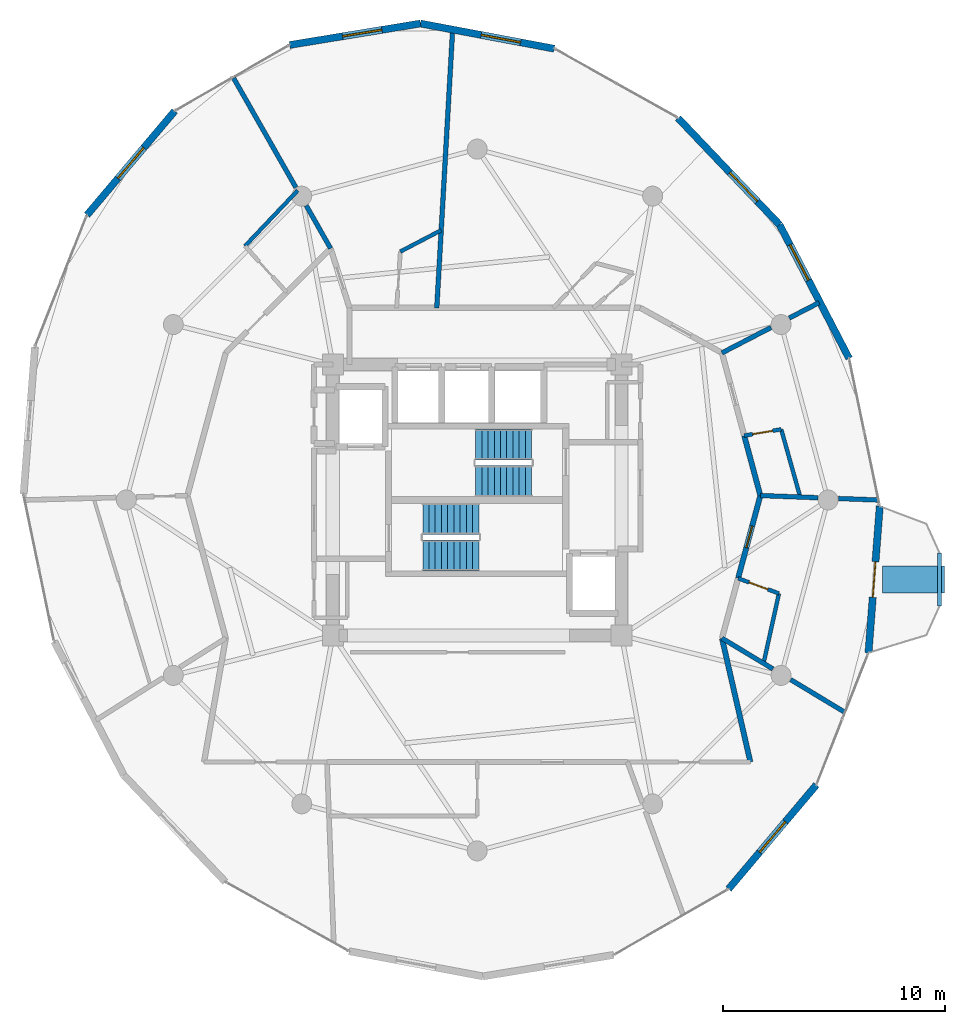
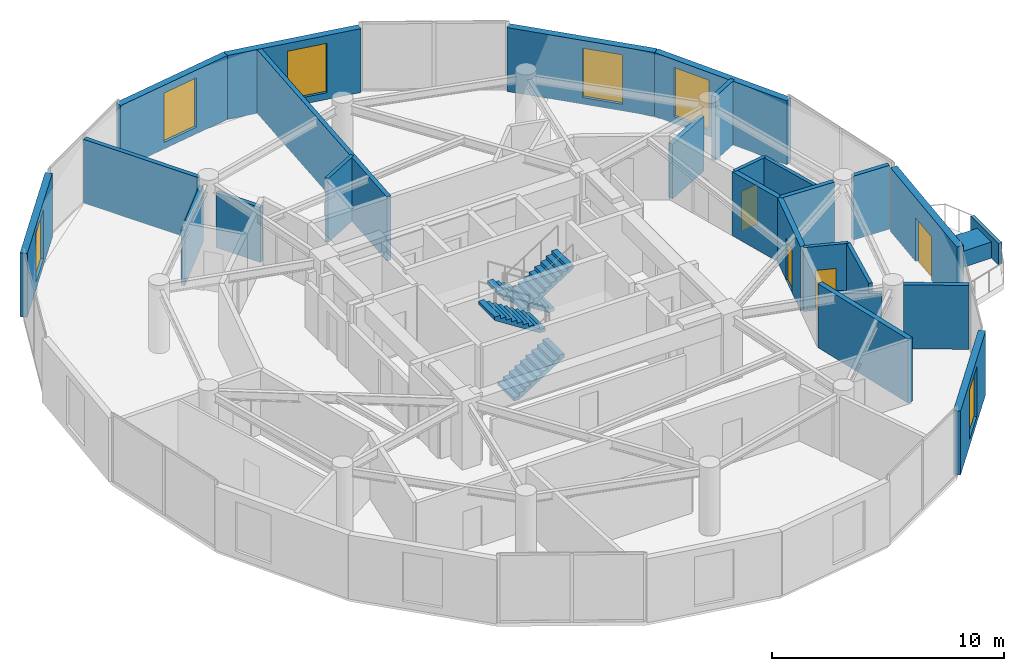
# One storey, part 19 of 21: 26 walls, 6 windows, 4 doors, 4 stair flights, 1 discrete accessory, 10 openings, 2 elements without a shape of their own.
"""IFC4 building model written with IfcOpenShell, lengths in metres."""

from ifc_helpers import new_model, si_unit, direction, frame, frame_2d, origin, origin_2d, place, context, subcontext, project, spatial, polyline, rectangle, outline, extrude, material, layer, layer_set, type_object, element, fill, aggregate, save


model = new_model("IFC4")

# Units and contexts
model_context = context("Model", 3, precision=1e-05, world=origin(), true_north=direction((0.0, 1.0)))
body_context = subcontext(model_context, "Body", "Model", "MODEL_VIEW")
ifc_project = project(units=[si_unit("LENGTHUNIT", "METRE"), si_unit("AREAUNIT", "SQUARE_METRE"), si_unit("VOLUMEUNIT", "CUBIC_METRE"), si_unit("PLANEANGLEUNIT", "RADIAN"), si_unit("MASSUNIT", "GRAM", prefix="KILO")], contexts=[model_context])

# Site, building, storey
site_placement = place(None, origin())
site = spatial("IfcSite", under=ifc_project, at=site_placement, CompositionType="ELEMENT")
building_placement = place(site_placement, origin())
building = spatial("IfcBuilding", under=site, at=building_placement, Name="Solvirekh Grand Hotel", CompositionType="ELEMENT")
storey_placement = place(building_placement, frame((0.0, 0.0, 220.0)))
storey = spatial("IfcBuildingStorey", under=building, at=storey_placement, Name="L57", CompositionType="ELEMENT", Elevation=220.0)

# Wall, opening, window
ifc_material_1 = material(Name="Precast concrete C45/55", Category="concrete")
ifc_layer_1 = layer(ifc_material_1, 0.320068359375)
ifc_layer_set_1 = layer_set([ifc_layer_1], Name="Precast concrete C45/55")
wall_type_1 = type_object("IfcWallType", Name="ExtLobbyWall_RC320", PredefinedType="SOLIDWALL", material=ifc_layer_set_1)
wall_1_placement = place(storey_placement, frame((15.27294921875, -12.830078125, 0.0), z_axis=(0.0, 0.0, 1.0), x_axis=(-0.644700837275, -0.764434974616, 0.0)))
wall_1 = element("IfcWall", 1, at=wall_1_placement, inside=storey, type_object=wall_type_1, Name="L57 exterior structural wall chord 2", PredefinedType="SOLIDWALL", context=body_context, shape_type="SweptSolid", body=[
    extrude(rectangle(XDim=6.13134765625, YDim=0.320068359375, at=frame_2d((3.065673828125, 0.0))), origin(), (0.0, 0.0, 1.0), 3.360107421875),
])
opening_1_placement = place(wall_1_placement, frame((2.166015625, 0.0, 0.35009765625)))
opening_1 = element("IfcOpeningElement", 2, at=opening_1_placement, cuts=wall_1, Name="Opening W02", PredefinedType="OPENING", context=body_context, shape_type="SweptSolid", body=[
    extrude(rectangle(XDim=1.800048828125, YDim=2.60009765625, at=frame_2d((0.89990234375, 1.300048828125))), frame((0.0, 0.169921875, 0.0), z_axis=(0.0, -1.0, 0.0), x_axis=(1.0, 0.0, 0.0)), (0.0, 0.0, 1.0), 0.340087890625),
])
ifc_material_2 = material(Name="Low-E Tinted Bronze Laminated Glass", Category="aluminium")
window_type = type_object("IfcWindowType", Name="Win_LobbyExt_1800X2600", PartitioningType="SINGLE_PANEL", PredefinedType="WINDOW", material=ifc_material_2)
window_1_placement = place(opening_1_placement, origin())
window_1 = element("IfcWindow", 3, at=window_1_placement, inside=storey, type_object=window_type, Name="L57 panoramic bronze-framed window 2", OverallHeight=2.60009765625, OverallWidth=1.800048828125, PartitioningType="SINGLE_PANEL", PredefinedType="WINDOW", context=body_context, shape_type="SweptSolid", body=[
    extrude(rectangle(XDim=1.800048828125, YDim=2.60009765625, at=frame_2d((0.89990234375, 1.300048828125))), frame((0.0, 0.030029296875, 0.0), z_axis=(0.0, -1.0, 0.0), x_axis=(1.0, 0.0, 0.0)), (0.0, 0.0, 1.0), 0.06005859375),
])
fill(opening_1, window_1)

# Wall, opening, door
wall_2_placement = place(storey_placement, frame((18.1279296875, -0.27001953125, 0.0), z_axis=(0.0, 0.0, 1.0), x_axis=(-0.076702125221, -0.997054052691, 0.0)))
wall_2 = element("IfcWall", 4, at=wall_2_placement, inside=storey, type_object=wall_type_1, Name="L57 exterior structural wall chord 4", PredefinedType="SOLIDWALL", context=body_context, shape_type="SweptSolid", body=[
    extrude(rectangle(XDim=6.636474609375, YDim=0.320068359375, at=frame_2d((3.318359375, 0.0))), origin(), (0.0, 0.0, 1.0), 3.360107421875),
])
opening_2_placement = place(wall_2_placement, frame((2.51806640625, 0.0, 0.0)))
opening_2 = element("IfcOpeningElement", 5, at=opening_2_placement, cuts=wall_2, Name="Opening D04", PredefinedType="OPENING", context=body_context, shape_type="SweptSolid", body=[
    extrude(rectangle(XDim=1.60009765625, YDim=2.300048828125, at=frame_2d((0.800048828125, 1.14990234375))), frame((0.0, 0.169921875, 0.0), z_axis=(0.0, -1.0, 0.0), x_axis=(1.0, 0.0, 0.0)), (0.0, 0.0, 1.0), 0.340087890625),
])
ifc_material_3 = material(Name="Anodized Bronze Aluminium 6063-T6", Category="aluminium")
door_type_1 = type_object("IfcDoorType", Name="Door_ExtTerrace_1600X2300", OperationType="NOTDEFINED", PredefinedType="DOOR", material=ifc_material_3)
door_1_placement = place(opening_2_placement, origin())
door_1 = element("IfcDoor", 6, at=door_1_placement, inside=storey, type_object=door_type_1, Name="L57 East horn sky-garden terrace door (4)", OperationType="SINGLE_SWING_LEFT", OverallHeight=2.300048828125, OverallWidth=1.60009765625, PredefinedType="DOOR", context=body_context, shape_type="SweptSolid", body=[
    extrude(rectangle(XDim=1.60009765625, YDim=2.300048828125, at=frame_2d((0.800048828125, 1.14990234375))), frame((0.0, 0.02490234375, 0.0), z_axis=(0.0, -1.0, 0.0), x_axis=(1.0, 0.0, 0.0)), (0.0, 0.0, 1.0), 0.050048828125),
])
fill(opening_2, door_1)

# Wall, opening, window
wall_3_placement = place(storey_placement, frame((13.617919921875, 12.39306640625, 0.0), z_axis=(0.0, 0.0, 1.0), x_axis=(0.461492088822, -0.887144324197, 0.0)))
wall_3 = element("IfcWall", 7, at=wall_3_placement, inside=storey, type_object=wall_type_1, Name="L57 exterior structural wall chord 6", PredefinedType="SOLIDWALL", context=body_context, shape_type="SweptSolid", body=[
    extrude(rectangle(XDim=6.78466796875, YDim=0.320068359375, at=frame_2d((3.392333984375, 0.0))), origin(), (0.0, 0.0, 1.0), 3.360107421875),
])
opening_3_placement = place(wall_3_placement, frame((1.014892578125, 0.0, 0.35009765625)))
opening_3 = element("IfcOpeningElement", 8, at=opening_3_placement, cuts=wall_3, Name="Opening W02", PredefinedType="OPENING", context=body_context, shape_type="SweptSolid", body=[
    extrude(rectangle(XDim=1.800048828125, YDim=2.60009765625, at=frame_2d((0.89990234375, 1.300048828125))), frame((0.0, 0.169921875, 0.0), z_axis=(0.0, -1.0, 0.0), x_axis=(1.0, 0.0, 0.0)), (0.0, 0.0, 1.0), 0.340087890625),
])
window_2_placement = place(opening_3_placement, origin())
window_2 = element("IfcWindow", 9, at=window_2_placement, inside=storey, type_object=window_type, Name="L57 panoramic bronze-framed window 6", OverallHeight=2.60009765625, OverallWidth=1.800048828125, PartitioningType="SINGLE_PANEL", PredefinedType="WINDOW", context=body_context, shape_type="SweptSolid", body=[
    extrude(rectangle(XDim=1.800048828125, YDim=2.60009765625, at=frame_2d((0.89990234375, 1.300048828125))), frame((0.0, 0.030029296875, 0.0), z_axis=(0.0, -1.0, 0.0), x_axis=(1.0, 0.0, 0.0)), (0.0, 0.0, 1.0), 0.06005859375),
])
fill(opening_3, window_2)

wall_4_placement = place(storey_placement, frame((9.0419921875, 17.199951171875, 0.0), z_axis=(0.0, 0.0, 1.0), x_axis=(0.689492567569, -0.724292757983, 0.0)))
wall_4 = element("IfcWall", 10, at=wall_4_placement, inside=storey, type_object=wall_type_1, Name="L57 exterior structural wall chord 7", PredefinedType="SOLIDWALL", context=body_context, shape_type="SweptSolid", body=[
    extrude(rectangle(XDim=6.63671875, YDim=0.320068359375, at=frame_2d((3.318359375, 0.0))), origin(), (0.0, 0.0, 1.0), 3.360107421875),
])
opening_4_placement = place(wall_4_placement, frame((3.389892578125, 0.0, 0.35009765625)))
opening_4 = element("IfcOpeningElement", 11, at=opening_4_placement, cuts=wall_4, Name="Opening W02", PredefinedType="OPENING", context=body_context, shape_type="SweptSolid", body=[
    extrude(rectangle(XDim=1.800048828125, YDim=2.60009765625, at=frame_2d((0.89990234375, 1.300048828125))), frame((0.0, 0.169921875, 0.0), z_axis=(0.0, -1.0, 0.0), x_axis=(1.0, 0.0, 0.0)), (0.0, 0.0, 1.0), 0.340087890625),
])
window_3_placement = place(opening_4_placement, origin())
window_3 = element("IfcWindow", 12, at=window_3_placement, inside=storey, type_object=window_type, Name="L57 panoramic bronze-framed window 7", OverallHeight=2.60009765625, OverallWidth=1.800048828125, PartitioningType="SINGLE_PANEL", PredefinedType="WINDOW", context=body_context, shape_type="SweptSolid", body=[
    extrude(rectangle(XDim=1.800048828125, YDim=2.60009765625, at=frame_2d((0.89990234375, 1.300048828125))), frame((0.0, 0.030029296875, 0.0), z_axis=(0.0, -1.0, 0.0), x_axis=(1.0, 0.0, 0.0)), (0.0, 0.0, 1.0), 0.06005859375),
])
fill(opening_4, window_3)

wall_5_placement = place(storey_placement, frame((-2.55810546875, 21.4560546875, 0.0), z_axis=(0.0, 0.0, 1.0), x_axis=(0.982778756256, -0.184786136523, 0.0)))
wall_5 = element("IfcWall", 13, at=wall_5_placement, inside=storey, type_object=wall_type_1, Name="L57 exterior structural wall chord 9", PredefinedType="SOLIDWALL", context=body_context, shape_type="SweptSolid", body=[
    extrude(rectangle(XDim=6.1318359375, YDim=0.320068359375, at=frame_2d((3.06591796875, 0.0))), origin(), (0.0, 0.0, 1.0), 3.360107421875),
])
opening_5_placement = place(wall_5_placement, frame((2.784912109375, 0.0, 0.35009765625)))
opening_5 = element("IfcOpeningElement", 14, at=opening_5_placement, cuts=wall_5, Name="Opening W02", PredefinedType="OPENING", context=body_context, shape_type="SweptSolid", body=[
    extrude(rectangle(XDim=1.800048828125, YDim=2.60009765625, at=frame_2d((0.89990234375, 1.300048828125))), frame((0.0, 0.169921875, 0.0), z_axis=(0.0, -1.0, 0.0), x_axis=(1.0, 0.0, 0.0)), (0.0, 0.0, 1.0), 0.340087890625),
])
window_4_placement = place(opening_5_placement, origin())
window_4 = element("IfcWindow", 15, at=window_4_placement, inside=storey, type_object=window_type, Name="L57 panoramic bronze-framed window 9", OverallHeight=2.60009765625, OverallWidth=1.800048828125, PartitioningType="SINGLE_PANEL", PredefinedType="WINDOW", context=body_context, shape_type="SweptSolid", body=[
    extrude(rectangle(XDim=1.800048828125, YDim=2.60009765625, at=frame_2d((0.89990234375, 1.300048828125))), frame((0.0, 0.030029296875, 0.0), z_axis=(0.0, -1.0, 0.0), x_axis=(1.0, 0.0, 0.0)), (0.0, 0.0, 1.0), 0.06005859375),
])
fill(opening_5, window_4)

wall_6_placement = place(storey_placement, frame((-8.446044921875, 20.489990234375, 0.0), z_axis=(0.0, 0.0, 1.0), x_axis=(0.986805489114, 0.161910242585, 0.0)))
wall_6 = element("IfcWall", 16, at=wall_6_placement, inside=storey, type_object=wall_type_1, Name="L57 exterior structural wall chord 10", PredefinedType="SOLIDWALL", context=body_context, shape_type="SweptSolid", body=[
    extrude(rectangle(XDim=5.966552734375, YDim=0.320068359375, at=frame_2d((2.9833984375, 0.0))), origin(), (0.0, 0.0, 1.0), 3.360107421875),
])
opening_6_placement = place(wall_6_placement, frame((2.4140625, 0.0, 0.35009765625)))
opening_6 = element("IfcOpeningElement", 17, at=opening_6_placement, cuts=wall_6, Name="Opening W02", PredefinedType="OPENING", context=body_context, shape_type="SweptSolid", body=[
    extrude(rectangle(XDim=1.800048828125, YDim=2.60009765625, at=frame_2d((0.89990234375, 1.300048828125))), frame((0.0, 0.169921875, 0.0), z_axis=(0.0, -1.0, 0.0), x_axis=(1.0, 0.0, 0.0)), (0.0, 0.0, 1.0), 0.340087890625),
])
window_5_placement = place(opening_6_placement, origin())
window_5 = element("IfcWindow", 18, at=window_5_placement, inside=storey, type_object=window_type, Name="L57 panoramic bronze-framed window 10", OverallHeight=2.60009765625, OverallWidth=1.800048828125, PartitioningType="SINGLE_PANEL", PredefinedType="WINDOW", context=body_context, shape_type="SweptSolid", body=[
    extrude(rectangle(XDim=1.800048828125, YDim=2.60009765625, at=frame_2d((0.89990234375, 1.300048828125))), frame((0.0, 0.030029296875, 0.0), z_axis=(0.0, -1.0, 0.0), x_axis=(1.0, 0.0, 0.0)), (0.0, 0.0, 1.0), 0.06005859375),
])
fill(opening_6, window_5)

wall_7_placement = place(storey_placement, frame((-17.572998046875, 12.830078125, 0.0), z_axis=(0.0, 0.0, 1.0), x_axis=(0.644700837275, 0.764434974616, 0.0)))
wall_7 = element("IfcWall", 19, at=wall_7_placement, inside=storey, type_object=wall_type_1, Name="L57 exterior structural wall chord 12", PredefinedType="SOLIDWALL", context=body_context, shape_type="SweptSolid", body=[
    extrude(rectangle(XDim=6.13134765625, YDim=0.320068359375, at=frame_2d((3.065673828125, 0.0))), origin(), (0.0, 0.0, 1.0), 3.360107421875),
])
opening_7_placement = place(wall_7_placement, frame((2.166015625, 0.0, 0.35009765625)))
opening_7 = element("IfcOpeningElement", 20, at=opening_7_placement, cuts=wall_7, Name="Opening W02", PredefinedType="OPENING", context=body_context, shape_type="SweptSolid", body=[
    extrude(rectangle(XDim=1.800048828125, YDim=2.60009765625, at=frame_2d((0.89990234375, 1.300048828125))), frame((0.0, 0.169921875, 0.0), z_axis=(0.0, -1.0, 0.0), x_axis=(1.0, 0.0, 0.0)), (0.0, 0.0, 1.0), 0.340087890625),
])
window_6_placement = place(opening_7_placement, origin())
window_6 = element("IfcWindow", 21, at=window_6_placement, inside=storey, type_object=window_type, Name="L57 panoramic bronze-framed window 12", OverallHeight=2.60009765625, OverallWidth=1.800048828125, PartitioningType="SINGLE_PANEL", PredefinedType="WINDOW", context=body_context, shape_type="SweptSolid", body=[
    extrude(rectangle(XDim=1.800048828125, YDim=2.60009765625, at=frame_2d((0.89990234375, 1.300048828125))), frame((0.0, 0.030029296875, 0.0), z_axis=(0.0, -1.0, 0.0), x_axis=(1.0, 0.0, 0.0)), (0.0, 0.0, 1.0), 0.06005859375),
])
fill(opening_7, window_6)

# Wall
ifc_layer_2 = layer(ifc_material_1, 0.179931640625)
ifc_layer_set_2 = layer_set([ifc_layer_2], Name="Precast concrete C45/55")
wall_type_2 = type_object("IfcWallType", Name="ExtPlanterWall_180", PredefinedType="PARAPET", material=ifc_layer_set_2)
wall_8_placement = place(storey_placement, frame((20.827880859375, -4.77001953125, 0.0), z_axis=(0.0, 0.0, 1.0), x_axis=(0.0, 1.0, 0.0)))
element("IfcWall", 22, at=wall_8_placement, inside=storey, type_object=wall_type_2, Name="L57 horn sky-garden planter parapet", PredefinedType="PARAPET", context=body_context, shape_type="SweptSolid", body=[
    extrude(rectangle(XDim=2.383056640625, YDim=0.179931640625, at=frame_2d((1.19140625, 0.0))), origin(), (0.0, 0.0, 1.0), 1.1201171875),
])

# Wall, opening, door
ifc_material_4 = material(Name="Acoustic Gypsum Partition Assembly")
ifc_layer_3 = layer(ifc_material_4, 0.239990234375)
ifc_layer_set_3 = layer_set([ifc_layer_3], Name="Acoustic Gypsum Partition Assembly")
wall_type_3 = type_object("IfcWallType", Name="Part_Corridor_240", PredefinedType="PARTITIONING", material=ifc_layer_set_3)
wall_9_placement = place(storey_placement, frame((11.748046875, -3.52587890625, 0.0), z_axis=(0.0, 0.0, 1.0), x_axis=(0.259694339612, 0.965690866672, 0.0)))
wall_9 = element("IfcWall", 23, at=wall_9_placement, inside=storey, type_object=wall_type_3, Name="L57 Deluxe Guestroom 5904 entrance wall", PredefinedType="PARTITIONING", context=body_context, shape_type="SweptSolid", body=[
    extrude(rectangle(XDim=3.858154296875, YDim=0.239990234375, at=frame_2d((1.92919921875, 0.0))), origin(), (0.0, 0.0, 1.0), 3.360107421875),
])
opening_8_placement = place(wall_9_placement, frame((1.428955078125, 0.0, 0.0)))
opening_8 = element("IfcOpeningElement", 24, at=opening_8_placement, cuts=wall_9, Name="Opening D07", PredefinedType="OPENING", context=body_context, shape_type="SweptSolid", body=[
    extrude(rectangle(XDim=1.0, YDim=2.199951171875, at=frame_2d((0.5, 1.10009765625))), frame((0.0, 0.1298828125, 0.0), z_axis=(0.0, -1.0, 0.0), x_axis=(1.0, 0.0, 0.0)), (0.0, 0.0, 1.0), 0.260009765625),
])
ifc_material_5 = material(Name="Fire-Rated Steel Door Assembly", Category="steel")
door_type_2 = type_object("IfcDoorType", Name="Door_GuestEntry_1000X2200", OperationType="NOTDEFINED", PredefinedType="DOOR", material=ifc_material_5)
door_2_placement = place(opening_8_placement, origin())
door_2 = element("IfcDoor", 25, at=door_2_placement, inside=storey, type_object=door_type_2, Name="L57 Deluxe Guestroom 5904 entrance door", OperationType="SINGLE_SWING_RIGHT", OverallHeight=2.199951171875, OverallWidth=1.0, PredefinedType="DOOR", context=body_context, shape_type="SweptSolid", body=[
    extrude(rectangle(XDim=1.0, YDim=2.199951171875, at=frame_2d((0.5, 1.10009765625))), frame((0.0, 0.02490234375, 0.0), z_axis=(0.0, -1.0, 0.0), x_axis=(1.0, 0.0, 0.0)), (0.0, 0.0, 1.0), 0.050048828125),
])
fill(opening_8, door_2)

# Walls
wall_10_placement = place(storey_placement, frame((12.75, 0.199951171875, 0.0), z_axis=(0.0, 0.0, 1.0), x_axis=(-0.259870061474, 0.965643594267, 0.0)))
element("IfcWall", 26, at=wall_10_placement, inside=storey, type_object=wall_type_3, Name="L57 En-suite Bathroom 5905 corridor backing wall", PredefinedType="PARTITIONING", context=body_context, shape_type="SweptSolid", body=[
    extrude(rectangle(XDim=2.7939453125, YDim=0.239990234375, at=frame_2d((1.39697265625, 0.0))), origin(), (0.0, 0.0, 1.0), 3.360107421875),
])
wall_11_placement = place(storey_placement, frame((12.300048828125, -11.800048828125, 0.0), z_axis=(0.0, 0.0, 1.0), x_axis=(-0.223456421134, 0.974713921032, 0.0)))
element("IfcWall", 27, at=wall_11_placement, inside=storey, type_object=wall_type_3, Name="L57 L57 Butler Valet & Linen Steward Room corridor wall 1", PredefinedType="PARTITIONING", context=body_context, shape_type="SweptSolid", body=[
    extrude(rectangle(XDim=5.719482421875, YDim=0.239990234375, at=frame_2d((2.85986328125, 0.0))), origin(), (0.0, 0.0, 1.0), 3.360107421875),
])
ifc_layer_4 = layer(ifc_material_4, 0.2099609375)
ifc_layer_set_4 = layer_set([ifc_layer_4], Name="Acoustic Gypsum Partition Assembly")
wall_type_4 = type_object("IfcWallType", Name="Part_SuiteDemise_210", PredefinedType="PARTITIONING", material=ifc_layer_set_4)
wall_12_placement = place(storey_placement, frame((12.75, 0.199951171875, 0.0), z_axis=(0.0, 0.0, 1.0), x_axis=(0.999286953718, -0.037756908362, 0.0)))
element("IfcWall", 28, at=wall_12_placement, inside=storey, type_object=wall_type_4, Name="L57 suite radial wall 1 (A)", PredefinedType="PARTITIONING", context=body_context, shape_type="SweptSolid", body=[
    extrude(rectangle(XDim=2.593017578125, YDim=0.2099609375, at=frame_2d((1.29638671875, 0.0))), origin(), (0.0, 0.0, 1.0), 3.360107421875),
])
wall_13_placement = place(storey_placement, frame((16.264892578125, 0.06689453125, 0.0), z_axis=(0.0, 0.0, 1.0), x_axis=(0.999284239873, -0.037828665616, 0.0)))
element("IfcWall", 29, at=wall_13_placement, inside=storey, type_object=wall_type_4, Name="L57 suite radial wall 1 (B)", PredefinedType="PARTITIONING", context=body_context, shape_type="SweptSolid", body=[
    extrude(rectangle(XDim=1.768310546875, YDim=0.2099609375, at=frame_2d((0.88427734375, 0.0))), origin(), (0.0, 0.0, 1.0), 3.360107421875),
])
wall_14_placement = place(storey_placement, frame((11.02197265625, 6.625, 0.0), z_axis=(0.0, 0.0, 1.0), x_axis=(0.88806021567, 0.459727150975, 0.0)))
element("IfcWall", 30, at=wall_14_placement, inside=storey, type_object=wall_type_4, Name="L57 suite radial wall 2 (A)", PredefinedType="PARTITIONING", context=body_context, shape_type="SweptSolid", body=[
    extrude(rectangle(XDim=2.488525390625, YDim=0.2099609375, at=frame_2d((1.244140625, 0.0))), origin(), (0.0, 0.0, 1.0), 2.876953125),
])
wall_15_placement = place(storey_placement, frame((14.051025390625, 8.193115234375, 0.0), z_axis=(0.0, 0.0, 1.0), x_axis=(0.888183611241, 0.459488707939, 0.0)))
element("IfcWall", 31, at=wall_15_placement, inside=storey, type_object=wall_type_4, Name="L57 suite radial wall 2 (B)", PredefinedType="PARTITIONING", context=body_context, shape_type="SweptSolid", body=[
    extrude(rectangle(XDim=1.514404296875, YDim=0.2099609375, at=frame_2d((0.75732421875, 0.0))), origin(), (0.0, 0.0, 1.0), 3.360107421875),
])
wall_16_placement = place(storey_placement, frame((-6.60009765625, 11.327880859375, 0.0), z_axis=(0.0, 0.0, 1.0), x_axis=(-0.494753305644, 0.869033466878, 0.0)))
element("IfcWall", 32, at=wall_16_placement, inside=storey, type_object=wall_type_4, Name="L57 suite radial wall 5 (A)", PredefinedType="PARTITIONING", context=body_context, shape_type="SweptSolid", body=[
    extrude(rectangle(XDim=2.220947265625, YDim=0.2099609375, at=frame_2d((1.1103515625, 0.0))), origin(), (0.0, 0.0, 1.0), 2.876953125),
])
wall_17_placement = place(storey_placement, frame((-8.1630859375, 14.072021484375, 0.0), z_axis=(0.0, 0.0, 1.0), x_axis=(-0.494908668638, 0.868944998091, 0.0)))
element("IfcWall", 33, at=wall_17_placement, inside=storey, type_object=wall_type_4, Name="L57 suite radial wall 5 (B)", PredefinedType="PARTITIONING", context=body_context, shape_type="SweptSolid", body=[
    extrude(rectangle(XDim=5.66552734375, YDim=0.2099609375, at=frame_2d((2.832763671875, 0.0))), origin(), (0.0, 0.0, 1.0), 3.360107421875),
])
wall_18_placement = place(storey_placement, frame((11.02197265625, -6.22509765625, 0.0), z_axis=(0.0, 0.0, 1.0), x_axis=(0.856493544161, -0.516157736366, 0.0)))
element("IfcWall", 34, at=wall_18_placement, inside=storey, type_object=wall_type_4, Name="L57 suite radial wall 12 (A)", PredefinedType="PARTITIONING", context=body_context, shape_type="SweptSolid", body=[
    extrude(rectangle(XDim=2.67724609375, YDim=0.2099609375, at=frame_2d((1.338623046875, 0.0))), origin(), (0.0, 0.0, 1.0), 2.876953125),
])
wall_19_placement = place(storey_placement, frame((14.114013671875, -8.087890625, 0.0), z_axis=(0.0, 0.0, 1.0), x_axis=(0.856451792667, -0.516227010952, 0.0)))
element("IfcWall", 35, at=wall_19_placement, inside=storey, type_object=wall_type_4, Name="L57 suite radial wall 12 (B)", PredefinedType="PARTITIONING", context=body_context, shape_type="SweptSolid", body=[
    extrude(rectangle(XDim=2.818603515625, YDim=0.2099609375, at=frame_2d((1.4091796875, 0.0))), origin(), (0.0, 0.0, 1.0), 3.360107421875),
])
wall_20_placement = place(storey_placement, frame((-1.820068359375, 8.64990234375, 0.0), z_axis=(0.0, 0.0, 1.0), x_axis=(0.056907006267, 0.998379483282, 0.0)))
element("IfcWall", 36, at=wall_20_placement, inside=storey, type_object=wall_type_4, Name="L57 Panorama Suite 5901 North Observatory Study dividing partition 1", PredefinedType="PARTITIONING", context=body_context, shape_type="SweptSolid", body=[
    extrude(rectangle(XDim=12.514404296875, YDim=0.2099609375, at=frame_2d((6.25732421875, 0.0))), origin(), (0.0, 0.0, 1.0), 3.360107421875),
])
ifc_layer_5 = layer(ifc_material_4, 0.175048828125)
ifc_layer_set_5 = layer_set([ifc_layer_5], Name="Acoustic Gypsum Partition Assembly")
wall_type_5 = type_object("IfcWallType", Name="Plumb_Ensuite_175", PredefinedType="PLUMBINGWALL", material=ifc_layer_set_5)
wall_21_placement = place(storey_placement, frame((-3.4609375, 11.18603515625, 0.0), z_axis=(0.0, 0.0, 1.0), x_axis=(0.886190330108, 0.463321377472, 0.0)))
element("IfcWall", 37, at=wall_21_placement, inside=storey, type_object=wall_type_5, Name="L57 En-suite Bathroom 5902 outer plumbing wall", PredefinedType="PLUMBINGWALL", context=body_context, shape_type="SweptSolid", body=[
    extrude(rectangle(XDim=2.076171875, YDim=0.175048828125, at=frame_2d((1.0380859375, 0.0))), origin(), (0.0, 0.0, 1.0), 3.360107421875),
])
wall_22_placement = place(storey_placement, frame((-8.0849609375, 13.93505859375, 0.0), z_axis=(0.0, 0.0, 1.0), x_axis=(-0.688145634745, -0.725572591394, 0.0)))
element("IfcWall", 38, at=wall_22_placement, inside=storey, type_object=wall_type_5, Name="L57 En-suite Bathroom 5903 outer plumbing wall", PredefinedType="PLUMBINGWALL", context=body_context, shape_type="SweptSolid", body=[
    extrude(rectangle(XDim=3.444091796875, YDim=0.175048828125, at=frame_2d((1.72216796875, 0.0))), origin(), (0.0, 0.0, 1.0), 2.928955078125),
])
wall_23_placement = place(storey_placement, frame((12.89404296875, -7.35302734375, 0.0), z_axis=(0.0, 0.0, 1.0), x_axis=(0.215501104313, 0.976503596532, 0.0)))
element("IfcWall", 39, at=wall_23_placement, inside=storey, type_object=wall_type_5, Name="L57 En-suite Bathroom 5904 outer plumbing wall", PredefinedType="PLUMBINGWALL", context=body_context, shape_type="SweptSolid", body=[
    extrude(rectangle(XDim=3.2197265625, YDim=0.175048828125, at=frame_2d((1.60986328125, 0.0))), origin(), (0.0, 0.0, 1.0), 3.360107421875),
])

# Wall, opening, door
wall_24_placement = place(storey_placement, frame((11.748046875, -3.52587890625, 0.0), z_axis=(0.0, 0.0, 1.0), x_axis=(0.937469348432, -0.348067839293, 0.0)))
wall_24 = element("IfcWall", 40, at=wall_24_placement, inside=storey, type_object=wall_type_5, Name="L57 En-suite Bathroom 5904 entry plumbing wall", PredefinedType="PLUMBINGWALL", context=body_context, shape_type="SweptSolid", body=[
    extrude(rectangle(XDim=1.962646484375, YDim=0.175048828125, at=frame_2d((0.9814453125, 0.0))), origin(), (0.0, 0.0, 1.0), 3.360107421875),
])
opening_9_placement = place(wall_24_placement, frame((0.531005859375, 0.0, 0.0)))
opening_9 = element("IfcOpeningElement", 41, at=opening_9_placement, cuts=wall_24, Name="Opening D09", PredefinedType="OPENING", context=body_context, shape_type="SweptSolid", body=[
    extrude(rectangle(XDim=0.89990234375, YDim=2.10009765625, at=frame_2d((0.449951171875, 1.050048828125))), frame((0.0, 0.09765625, 0.0), z_axis=(0.0, -1.0, 0.0), x_axis=(1.0, 0.0, 0.0)), (0.0, 0.0, 1.0), 0.195068359375),
])
door_type_3 = type_object("IfcDoorType", Name="Door_Ensuite_900X2100", OperationType="NOTDEFINED", PredefinedType="DOOR", material=ifc_material_3)
door_3_placement = place(opening_9_placement, origin())
door_3 = element("IfcDoor", 42, at=door_3_placement, inside=storey, type_object=door_type_3, Name="L57 En-suite Bathroom 5904 door", OperationType="SINGLE_SWING_LEFT", OverallHeight=2.10009765625, OverallWidth=0.89990234375, PredefinedType="DOOR", context=body_context, shape_type="SweptSolid", body=[
    extrude(rectangle(XDim=0.89990234375, YDim=2.10009765625, at=frame_2d((0.449951171875, 1.050048828125))), frame((0.0, 0.02490234375, 0.0), z_axis=(0.0, -1.0, 0.0), x_axis=(1.0, 0.0, 0.0)), (0.0, 0.0, 1.0), 0.050048828125),
])
fill(opening_9, door_3)

# Wall
wall_25_placement = place(storey_placement, frame((14.5458984375, 0.132080078125, 0.0), z_axis=(0.0, 0.0, 1.0), x_axis=(-0.270218787855, 0.962798944064, 0.0)))
element("IfcWall", 43, at=wall_25_placement, inside=storey, type_object=wall_type_5, Name="L57 En-suite Bathroom 5905 outer plumbing wall", PredefinedType="PLUMBINGWALL", context=body_context, shape_type="SweptSolid", body=[
    extrude(rectangle(XDim=3.167724609375, YDim=0.175048828125, at=frame_2d((1.583984375, 0.0))), origin(), (0.0, 0.0, 1.0), 3.360107421875),
])

# Wall, opening, door
wall_26_placement = place(storey_placement, frame((12.02392578125, 2.89794921875, 0.0), z_axis=(0.0, 0.0, 1.0), x_axis=(0.985786066323, 0.168005450635, 0.0)))
wall_26 = element("IfcWall", 44, at=wall_26_placement, inside=storey, type_object=wall_type_5, Name="L57 En-suite Bathroom 5905 entry plumbing wall", PredefinedType="PLUMBINGWALL", context=body_context, shape_type="SweptSolid", body=[
    extrude(rectangle(XDim=1.68994140625, YDim=0.175048828125, at=frame_2d((0.844970703125, 0.0))), origin(), (0.0, 0.0, 1.0), 3.360107421875),
])
opening_10_placement = place(wall_26_placement, frame((0.39501953125, 0.0, 0.0)))
opening_10 = element("IfcOpeningElement", 45, at=opening_10_placement, cuts=wall_26, Name="Opening D09", PredefinedType="OPENING", context=body_context, shape_type="SweptSolid", body=[
    extrude(rectangle(XDim=0.89990234375, YDim=2.10009765625, at=frame_2d((0.449951171875, 1.050048828125))), frame((0.0, 0.09765625, 0.0), z_axis=(0.0, -1.0, 0.0), x_axis=(1.0, 0.0, 0.0)), (0.0, 0.0, 1.0), 0.195068359375),
])
door_4_placement = place(opening_10_placement, origin())
door_4 = element("IfcDoor", 46, at=door_4_placement, inside=storey, type_object=door_type_3, Name="L57 En-suite Bathroom 5905 door", OperationType="SINGLE_SWING_LEFT", OverallHeight=2.10009765625, OverallWidth=0.89990234375, PredefinedType="DOOR", context=body_context, shape_type="SweptSolid", body=[
    extrude(rectangle(XDim=0.89990234375, YDim=2.10009765625, at=frame_2d((0.449951171875, 1.050048828125))), frame((0.0, 0.02490234375, 0.0), z_axis=(0.0, -1.0, 0.0), x_axis=(1.0, 0.0, 0.0)), (0.0, 0.0, 1.0), 0.050048828125),
])
fill(opening_10, door_4)

# Stair, stair flights
ifc_material_6 = material(Name="Concrete C40/50", Category="concrete")
stair_type = type_object("IfcStairType", Name="Stair_Core_1450", PredefinedType="HALF_TURN_STAIR", material=ifc_material_6)
stair_1_placement = place(storey_placement, origin())
stair_1 = element("IfcStair", 47, at=stair_1_placement, inside=storey, type_object=stair_type, Name="L57 Enclosed exit stair ST-1", PredefinedType="HALF_TURN_STAIR")
stair_flight_type = type_object("IfcStairFlightType", Name="Flight_Core_1450", PredefinedType="STRAIGHT", material=ifc_material_6)
stair_flight_1_placement = place(storey_placement, frame((-2.449951171875, -2.5, 0.0), z_axis=(0.0, 0.0, 1.0), x_axis=(1.0, 0.0, 0.0)))
stair_flight_1 = element("IfcStairFlight", 48, at=stair_flight_1_placement, type_object=stair_flight_type, Name="ST-1 flight 1", NumberOfRisers=10, NumberOfTreads=9, PredefinedType="STRAIGHT", RiserHeight=0.18, TreadLength=0.28, context=body_context, shape_type="SweptSolid", body=[
    extrude(outline(polyline([(0.0, 0.0), (0.0, 0.179931640625), (0.280029296875, 0.179931640625), (0.280029296875, 0.360107421875), (0.56005859375, 0.360107421875), (0.56005859375, 0.5400390625), (0.840087890625, 0.5400390625), (0.840087890625, 0.719970703125), (1.1201171875, 0.719970703125), (1.1201171875, 0.89990234375), (1.39990234375, 0.89990234375), (1.39990234375, 1.080078125), (1.679931640625, 1.080078125), (1.679931640625, 1.260009765625), (1.9599609375, 1.260009765625), (1.9599609375, 1.43994140625), (2.239990234375, 1.43994140625), (2.239990234375, 1.6201171875), (2.52001953125, 1.6201171875), (2.52001953125, 1.800048828125), (2.52001953125, 1.44189453125), (0.277099609375, 0.0), (0.0, 0.0)])), frame((0.0, 0.699951171875, 0.0), z_axis=(0.0, -1.0, 0.0), x_axis=(1.0, 0.0, 0.0)), (0.0, 0.0, 1.0), 1.39990234375),
])
stair_flight_2_placement = place(storey_placement, frame((0.070068359375, -0.85009765625, 1.800048828125), z_axis=(0.0, 0.0, 1.0), x_axis=(-1.0, 0.0, 0.0)))
stair_flight_2 = element("IfcStairFlight", 49, at=stair_flight_2_placement, type_object=stair_flight_type, Name="ST-1 flight 2", NumberOfRisers=10, NumberOfTreads=9, PredefinedType="STRAIGHT", RiserHeight=0.18, TreadLength=0.28, context=body_context, shape_type="SweptSolid", body=[
    extrude(outline(polyline([(0.0, 0.0), (0.0, 0.179931640625), (0.280029296875, 0.179931640625), (0.280029296875, 0.360107421875), (0.56005859375, 0.360107421875), (0.56005859375, 0.5400390625), (0.840087890625, 0.5400390625), (0.840087890625, 0.719970703125), (1.1201171875, 0.719970703125), (1.1201171875, 0.89990234375), (1.39990234375, 0.89990234375), (1.39990234375, 1.080078125), (1.679931640625, 1.080078125), (1.679931640625, 1.260009765625), (1.9599609375, 1.260009765625), (1.9599609375, 1.43994140625), (2.239990234375, 1.43994140625), (2.239990234375, 1.6201171875), (2.52001953125, 1.6201171875), (2.52001953125, 1.800048828125), (2.52001953125, 1.44189453125), (0.277099609375, 0.0), (0.0, 0.0)])), frame((0.0, 0.699951171875, 0.0), z_axis=(0.0, -1.0, 0.0), x_axis=(1.0, 0.0, 0.0)), (0.0, 0.0, 1.0), 1.39990234375),
])
aggregate(stair_1, [stair_flight_1, stair_flight_2])

stair_2_placement = place(storey_placement, origin())
stair_2 = element("IfcStair", 50, at=stair_2_placement, inside=storey, type_object=stair_type, Name="L57 Enclosed exit stair ST-2", PredefinedType="HALF_TURN_STAIR")
stair_flight_3_placement = place(storey_placement, frame((2.449951171875, 2.5, 0.0), z_axis=(0.0, 0.0, 1.0), x_axis=(-1.0, 0.0, 0.0)))
stair_flight_3 = element("IfcStairFlight", 51, at=stair_flight_3_placement, type_object=stair_flight_type, Name="ST-2 flight 1", NumberOfRisers=10, NumberOfTreads=9, PredefinedType="STRAIGHT", RiserHeight=0.18, TreadLength=0.28, context=body_context, shape_type="SweptSolid", body=[
    extrude(outline(polyline([(0.0, 0.0), (0.0, 0.179931640625), (0.280029296875, 0.179931640625), (0.280029296875, 0.360107421875), (0.56005859375, 0.360107421875), (0.56005859375, 0.5400390625), (0.840087890625, 0.5400390625), (0.840087890625, 0.719970703125), (1.1201171875, 0.719970703125), (1.1201171875, 0.89990234375), (1.39990234375, 0.89990234375), (1.39990234375, 1.080078125), (1.679931640625, 1.080078125), (1.679931640625, 1.260009765625), (1.9599609375, 1.260009765625), (1.9599609375, 1.43994140625), (2.239990234375, 1.43994140625), (2.239990234375, 1.6201171875), (2.52001953125, 1.6201171875), (2.52001953125, 1.800048828125), (2.52001953125, 1.44189453125), (0.277099609375, 0.0), (0.0, 0.0)])), frame((0.0, 0.699951171875, 0.0), z_axis=(0.0, -1.0, 0.0), x_axis=(1.0, 0.0, 0.0)), (0.0, 0.0, 1.0), 1.39990234375),
])
stair_flight_4_placement = place(storey_placement, frame((-0.070068359375, 0.85009765625, 1.800048828125), z_axis=(0.0, 0.0, 1.0), x_axis=(1.0, 0.0, 0.0)))
stair_flight_4 = element("IfcStairFlight", 52, at=stair_flight_4_placement, type_object=stair_flight_type, Name="ST-2 flight 2", NumberOfRisers=10, NumberOfTreads=9, PredefinedType="STRAIGHT", RiserHeight=0.18, TreadLength=0.28, context=body_context, shape_type="SweptSolid", body=[
    extrude(outline(polyline([(0.0, 0.0), (0.0, 0.179931640625), (0.280029296875, 0.179931640625), (0.280029296875, 0.360107421875), (0.56005859375, 0.360107421875), (0.56005859375, 0.5400390625), (0.840087890625, 0.5400390625), (0.840087890625, 0.719970703125), (1.1201171875, 0.719970703125), (1.1201171875, 0.89990234375), (1.39990234375, 0.89990234375), (1.39990234375, 1.080078125), (1.679931640625, 1.080078125), (1.679931640625, 1.260009765625), (1.9599609375, 1.260009765625), (1.9599609375, 1.43994140625), (2.239990234375, 1.43994140625), (2.239990234375, 1.6201171875), (2.52001953125, 1.6201171875), (2.52001953125, 1.800048828125), (2.52001953125, 1.44189453125), (0.277099609375, 0.0), (0.0, 0.0)])), frame((0.0, 0.699951171875, 0.0), z_axis=(0.0, -1.0, 0.0), x_axis=(1.0, 0.0, 0.0)), (0.0, 0.0, 1.0), 1.39990234375),
])
aggregate(stair_2, [stair_flight_3, stair_flight_4])

# Discrete accessory
discrete_accessory_type = type_object("IfcDiscreteAccessoryType", Name="Acc_PlanterBox", PredefinedType="USERDEFINED", material=ifc_material_1)
discrete_accessory_placement = place(storey_placement, frame((19.64306640625, -3.5791015625, 0.0), z_axis=(0.0, 0.0, 1.0), x_axis=(0.0, 1.0, 0.0)))
element("IfcDiscreteAccessory", 53, at=discrete_accessory_placement, inside=storey, type_object=discrete_accessory_type, Name="L57 horn sky-garden tree planter", ObjectType="PLANTER", PredefinedType="USERDEFINED", context=body_context, shape_type="SweptSolid", body=[
    extrude(rectangle(XDim=1.199951171875, YDim=2.800048828125, at=origin_2d()), origin(), (0.0, 0.0, 1.0), 0.85009765625),
])

save(model, "model.ifc")
